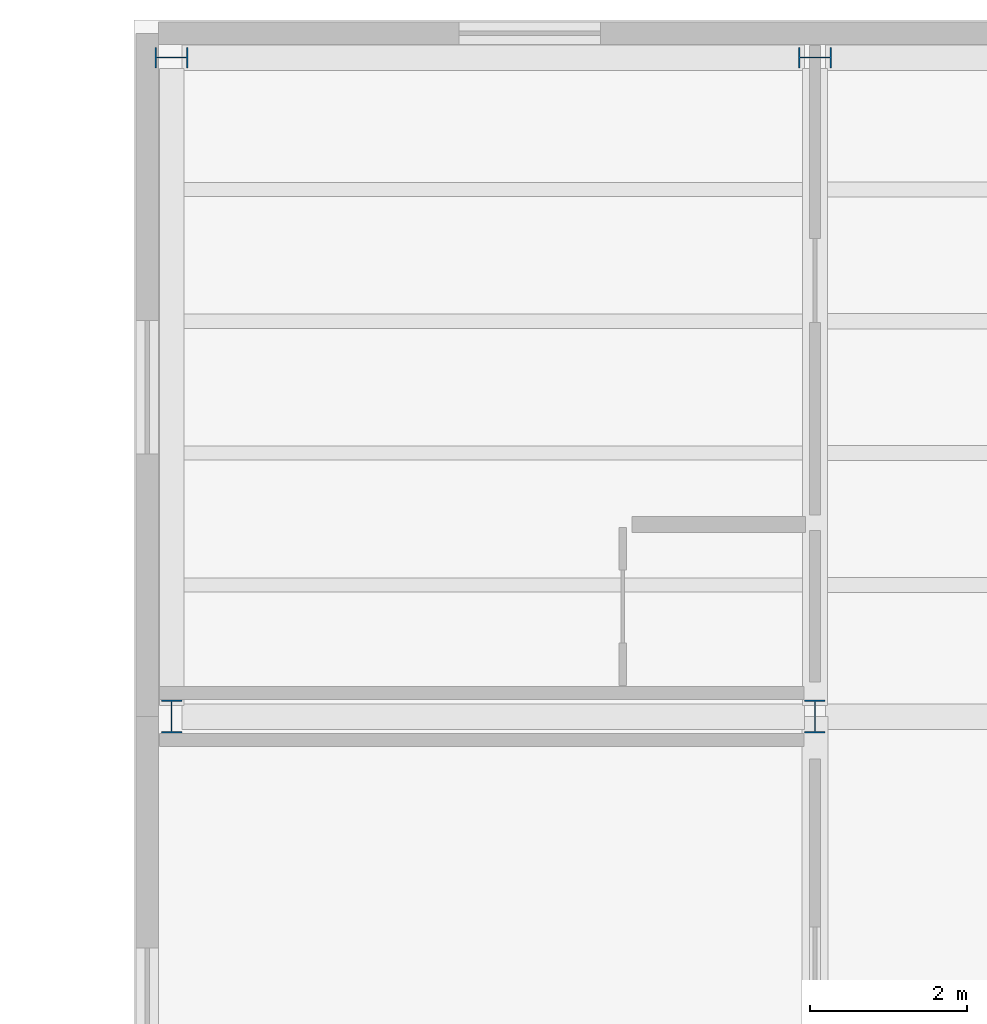
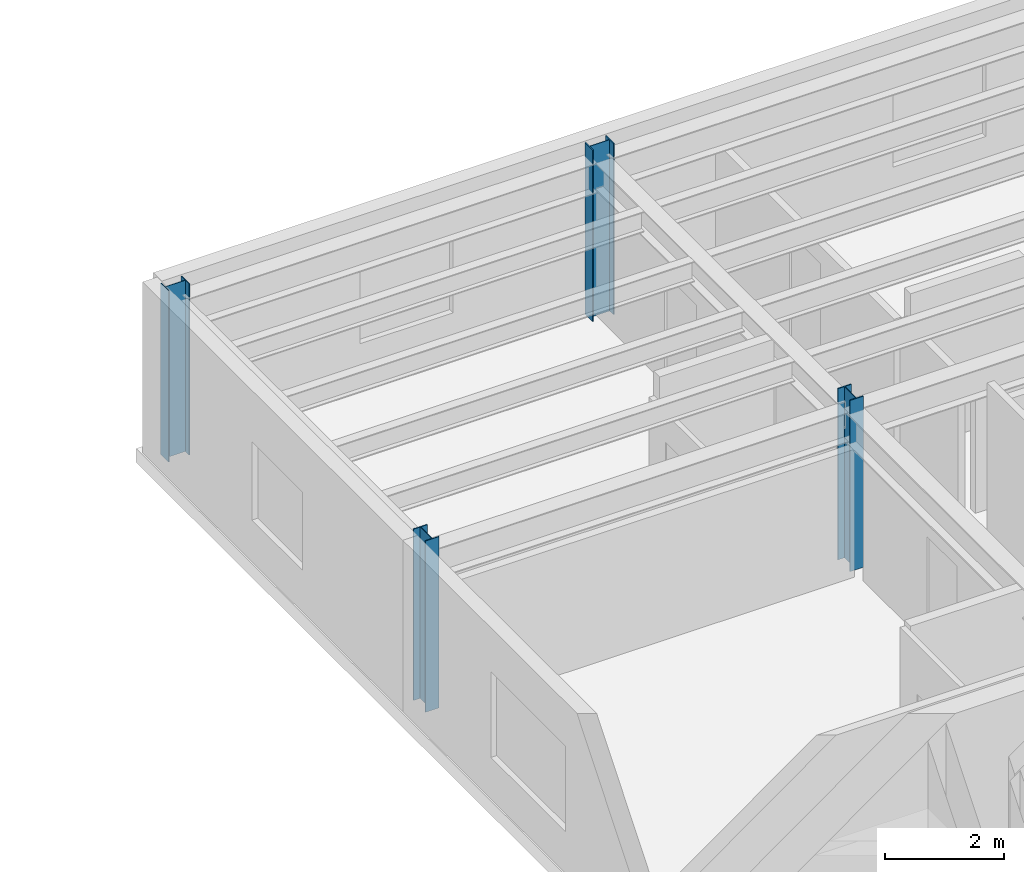
# One storey, part 3 of 23: 4 columns.
"""IFC4 building model written with IfcOpenShell, lengths in metres."""

from ifc_helpers import new_model, si_unit, direction, frame, origin, origin_2d, place, context, subcontext, project, spatial, i_section, extrude, material, material_profile, profile_set, type_object, element, save


model = new_model("IFC4")

# Units and contexts
model_context = context("Model", 3, precision=1e-05, world=origin(), true_north=direction((0.0, 1.0)))
body_context = subcontext(model_context, "Body", "Model", "MODEL_VIEW")
ifc_project = project(units=[si_unit("LENGTHUNIT", "METRE"), si_unit("AREAUNIT", "SQUARE_METRE"), si_unit("VOLUMEUNIT", "CUBIC_METRE"), si_unit("PLANEANGLEUNIT", "RADIAN"), si_unit("MASSUNIT", "GRAM", prefix="KILO")], contexts=[model_context])

# Site, building, storey
site_placement = place(None, origin())
site = spatial("IfcSite", under=ifc_project, at=site_placement, CompositionType="ELEMENT")
building_placement = place(site_placement, origin())
building = spatial("IfcBuilding", under=site, at=building_placement, Name="Sollismere Congress Hotel", CompositionType="ELEMENT")
storey_placement = place(building_placement, frame((0.0, 0.0, 30.60009765625)))
storey = spatial("IfcBuildingStorey", under=building, at=storey_placement, Name="L07", CompositionType="ELEMENT", Elevation=30.60009765625)

# Columns
ifc_material = material(Name="Steel ASTM A992 Grade 50", Category="steel")
ifc_material_profile = material_profile(ifc_material, i_section(OverallWidth=0.261962890625, OverallDepth=0.4189453125, WebThickness=0.01171875, FlangeThickness=0.019287109375, at=origin_2d()), Name="W16X77")
ifc_profile_set = profile_set([ifc_material_profile], Name="Steel ASTM A992 Grade 50")
column_type = type_object("IfcColumnType", Name="COL-W16", PredefinedType="COLUMN", material=ifc_profile_set)
for number, where, z_axis, x_axis, name in (
    (1, (147.199951171875, 58.39990234375, 0.0), (0.0, 0.0, 1.0), (1.0, 0.0, 0.0), "Column CL-L07-840"),
    (2, (147.199951171875, 66.800048828125, 0.0), (0.0, 0.0, 1.0), (0.0, 1.0, 0.0), "Column CL-L07-849"),
    (3, (155.39990234375, 58.39990234375, 0.0), (0.0, 0.0, 1.0), (1.0, 0.0, 0.0), "Column CL-L07-928"),
    (4, (155.39990234375, 66.800048828125, 0.0), (0.0, 0.0, 1.0), (0.0, 1.0, 0.0), "Column CL-L07-937"),
):
    element("IfcColumn", number, at=place(storey_placement, frame(where, z_axis=z_axis, x_axis=x_axis)), inside=storey, type_object=column_type, Name=name, PredefinedType="COLUMN", context=body_context, shape_type="SweptSolid", body=[
        extrude(i_section(OverallWidth=0.261962890625, OverallDepth=0.4189453125, WebThickness=0.01171875, FlangeThickness=0.019287109375, at=origin_2d()), origin(), (0.0, 0.0, 1.0), 3.5),
    ])

save(model, "model.ifc")
